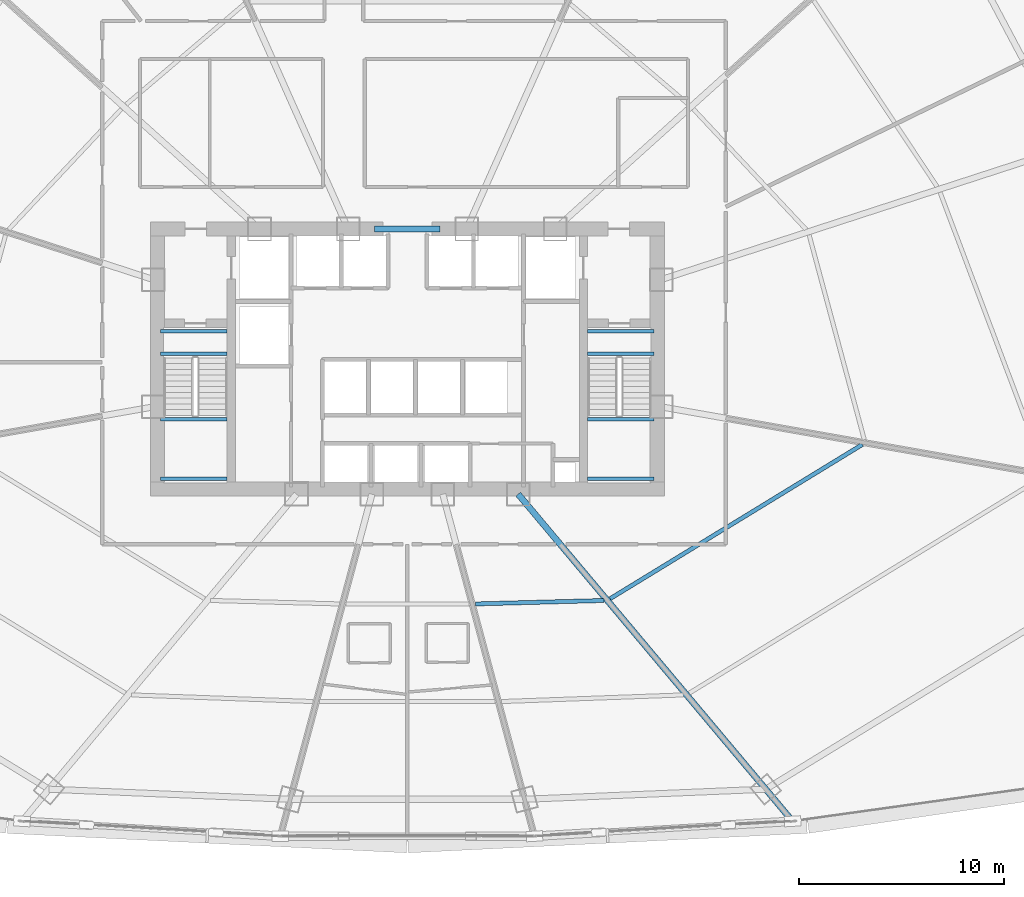
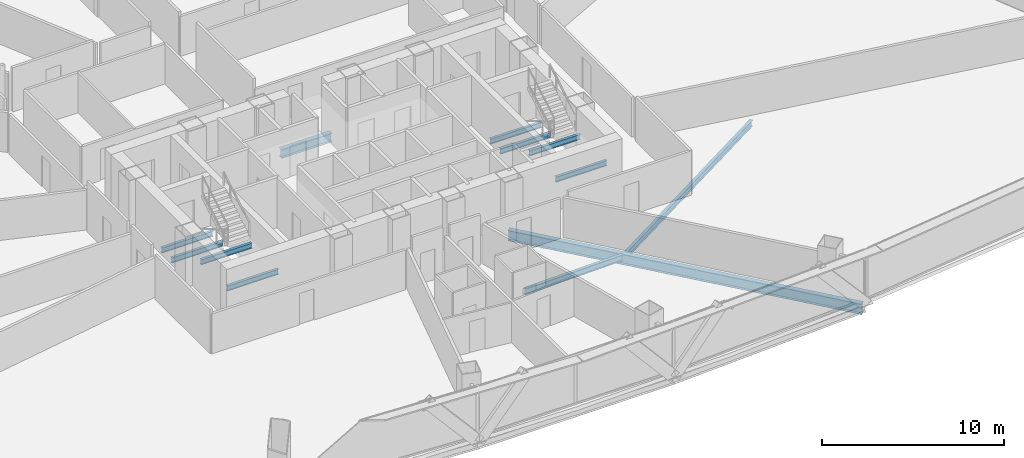
# One storey, part 12 of 38: 12 beams.
"""IFC4 building model written with IfcOpenShell, lengths in metres."""

from ifc_helpers import new_model, si_unit, direction, frame, origin, origin_2d, place, context, subcontext, project, spatial, i_section, extrude, source, transform, mapped, material, material_profile, profile_set, type_object, element, save


model = new_model("IFC4")

# Units and contexts
model_context = context("Model", 3, precision=1e-05, world=origin(), true_north=direction((0.0, 1.0)))
body_context = subcontext(model_context, "Body", "Model", "MODEL_VIEW")
ifc_project = project(units=[si_unit("LENGTHUNIT", "METRE"), si_unit("AREAUNIT", "SQUARE_METRE"), si_unit("VOLUMEUNIT", "CUBIC_METRE"), si_unit("PLANEANGLEUNIT", "RADIAN"), si_unit("MASSUNIT", "GRAM", prefix="KILO"), si_unit("THERMODYNAMICTEMPERATUREUNIT", "KELVIN"), si_unit("POWERUNIT", "WATT")], contexts=[model_context])

# Site, building, storey
site_placement = place(None, origin())
site = spatial("IfcSite", under=ifc_project, at=site_placement, CompositionType="ELEMENT")
building_placement = place(site_placement, origin())
building = spatial("IfcBuilding", under=site, at=building_placement, Name="Yunzhuo Pagoda Commons", CompositionType="ELEMENT")
storey_placement = place(building_placement, frame((0.0, 0.0, 34.030029296875)))
storey = spatial("IfcBuildingStorey", under=building, at=storey_placement, Name="L08", CompositionType="ELEMENT", Elevation=34.030029296875)

# Beams
ifc_material_1 = material(Name="Structural steel Q355B", Category="steel")
ifc_material_profile_1 = material_profile(ifc_material_1, i_section(OverallWidth=0.175048828125, OverallDepth=0.35009765625, WebThickness=0.007080078125, FlangeThickness=0.010986328125, at=origin_2d()), Name="Structural steel Q355B")
ifc_profile_set_1 = profile_set([ifc_material_profile_1], Name="Structural steel Q355B")
beam_type_1 = type_object("IfcBeamType", Name="B-JS2 Joist HN 350x175x7x11", PredefinedType="JOIST", material=ifc_profile_set_1)
shared_shape_1 = source(origin(), body_context, "Body", "SweptSolid", [
    extrude(i_section(OverallWidth=0.175048828125, OverallDepth=0.35009765625, WebThickness=0.007080078125, FlangeThickness=0.010986328125, at=origin_2d()), origin(), (0.0, 0.0, 1.0), 3.25),
])
for number, where, z_axis, x_axis, name in (
    (1, (35.949951171875, 28.0, 1.43994140625), (1.0, 0.0, 0.0), (0.0, 1.0, 0.0), "L08 ST1 landing support beam 12A"),
    (2, (35.949951171875, 30.89990234375, 1.43994140625), (1.0, 0.0, 0.0), (0.0, 1.0, 0.0), "L08 ST1 landing support beam 12B"),
    (3, (35.949951171875, 34.10009765625, -0.375), (1.0, 0.0, 0.0), (0.0, 1.0, 0.0), "L08 ST1 landing support beam 112A"),
    (4, (35.949951171875, 35.199951171875, -0.375), (1.0, 0.0, 0.0), (0.0, 1.0, 0.0), "L08 ST1 landing support beam 112B"),
    (5, (56.800048828125, 28.0, 1.43994140625), (1.0, 0.0, 0.0), (0.0, 1.0, 0.0), "L08 ST2 landing support beam 12A"),
    (6, (56.800048828125, 30.89990234375, 1.43994140625), (1.0, 0.0, 0.0), (0.0, 1.0, 0.0), "L08 ST2 landing support beam 12B"),
    (7, (56.800048828125, 34.10009765625, -0.375), (1.0, 0.0, 0.0), (0.0, 1.0, 0.0), "L08 ST2 landing support beam 112A"),
    (8, (56.800048828125, 35.199951171875, -0.375), (1.0, 0.0, 0.0), (0.0, 1.0, 0.0), "L08 ST2 landing support beam 112B"),
):
    element("IfcBeam", number, at=place(storey_placement, frame(where, z_axis=z_axis, x_axis=x_axis)), inside=storey, type_object=beam_type_1, Name=name, PredefinedType="JOIST", context=body_context, shape_type="MappedRepresentation", body=[
        mapped(shared_shape_1, transform((0.0, 0.0, 0.0), scale=1.0)),
    ])
ifc_material_2 = material(Name="Structural steel Q420B", Category="steel")
ifc_material_profile_2 = material_profile(ifc_material_2, i_section(OverallWidth=0.300048828125, OverallDepth=0.587890625, WebThickness=0.011962890625, FlangeThickness=0.02001953125, at=origin_2d()), Name="Structural steel Q420B")
ifc_profile_set_2 = profile_set([ifc_material_profile_2], Name="Structural steel Q420B")
beam_type_2 = type_object("IfcBeamType", Name="B-CPL Beam HM 588x300x12x20", PredefinedType="BEAM", material=ifc_profile_set_2)
shared_shape_2 = source(origin(), body_context, "Body", "SweptSolid", [
    extrude(i_section(OverallWidth=0.300048828125, OverallDepth=0.587890625, WebThickness=0.011962890625, FlangeThickness=0.02001953125, at=origin_2d()), origin(), (0.0, 0.0, 1.0), 3.2001953125),
])
beam_1_placement = place(storey_placement, frame((46.39990234375, 40.199951171875, -0.553955078125), z_axis=(1.0, 0.0, 0.0), x_axis=(0.0, 1.0, 0.0)))
element("IfcBeam", 9, at=beam_1_placement, inside=storey, type_object=beam_type_2, Name="L08 core coupling girder", PredefinedType="BEAM", context=body_context, shape_type="MappedRepresentation", body=[
    mapped(shared_shape_2, transform((0.0, 0.0, 0.0), scale=1.0)),
])
ifc_material_profile_3 = material_profile(ifc_material_1, i_section(OverallWidth=0.300048828125, OverallDepth=0.699951171875, WebThickness=0.012939453125, FlangeThickness=0.02392578125, at=origin_2d()), Name="Structural steel Q355B")
ifc_profile_set_3 = profile_set([ifc_material_profile_3], Name="Structural steel Q355B")
beam_type_3 = type_object("IfcBeamType", Name="B-RG1 Beam HN 700x300x13x24", PredefinedType="BEAM", material=ifc_profile_set_3)
shared_shape_3 = source(origin(), body_context, "Body", "SweptSolid", [
    extrude(i_section(OverallWidth=0.300048828125, OverallDepth=0.699951171875, WebThickness=0.012939453125, FlangeThickness=0.02392578125, at=origin_2d()), origin(), (0.0, 0.0, 1.0), 20.693115234375),
])
beam_2_placement = place(storey_placement, frame((66.71337890625, 11.398193359375, -0.610107421875), z_axis=(-0.642788302359, 0.766043861897, 0.0), x_axis=(-0.766043861897, -0.642788302359, 0.0)))
element("IfcBeam", 10, at=beam_2_placement, inside=storey, type_object=beam_type_3, Name="L08 radial floor girder F1C4", PredefinedType="BEAM", context=body_context, shape_type="MappedRepresentation", body=[
    mapped(shared_shape_3, transform((0.0, 0.0, 0.0), scale=1.0)),
])
ifc_material_profile_4 = material_profile(ifc_material_1, i_section(OverallWidth=0.199951171875, OverallDepth=0.39990234375, WebThickness=0.008056640625, FlangeThickness=0.012939453125, at=origin_2d()), Name="Structural steel Q355B")
ifc_profile_set_4 = profile_set([ifc_material_profile_4], Name="Structural steel Q355B")
beam_type_4 = type_object("IfcBeamType", Name="B-JS1 Joist HN 400x200x8x13", PredefinedType="JOIST", material=ifc_profile_set_4)
shared_shape_4 = source(origin(), body_context, "Body", "SweptSolid", [
    extrude(i_section(OverallWidth=0.199951171875, OverallDepth=0.39990234375, WebThickness=0.008056640625, FlangeThickness=0.012939453125, at=origin_2d()), origin(), (0.0, 0.0, 1.0), 6.283203125),
])
beam_3_placement = place(storey_placement, frame((51.32421875, 21.89111328125, -0.4599609375), z_axis=(0.999638450037, 0.026888086735, 0.0), x_axis=(-0.026888086735, 0.999638450037, 0.0)))
element("IfcBeam", 11, at=beam_3_placement, inside=storey, type_object=beam_type_4, Name="L08 composite ring joist 1.3", PredefinedType="JOIST", context=body_context, shape_type="MappedRepresentation", body=[
    mapped(shared_shape_4, transform((0.0, 0.0, 0.0), scale=1.0)),
])
shared_shape_5 = source(origin(), body_context, "Body", "SweptSolid", [
    extrude(i_section(OverallWidth=0.199951171875, OverallDepth=0.39990234375, WebThickness=0.008056640625, FlangeThickness=0.012939453125, at=origin_2d()), origin(), (0.0, 0.0, 1.0), 14.4365234375),
])
beam_4_placement = place(storey_placement, frame((57.8994140625, 22.14697265625, -0.4599609375), z_axis=(0.85325633277, 0.521491735876, 0.0), x_axis=(-0.521491735876, 0.85325633277, 0.0)))
element("IfcBeam", 12, at=beam_4_placement, inside=storey, type_object=beam_type_4, Name="L08 composite ring joist 1.4", PredefinedType="JOIST", context=body_context, shape_type="MappedRepresentation", body=[
    mapped(shared_shape_5, transform((0.0, 0.0, 0.0), scale=1.0)),
])

save(model, "model.ifc")
